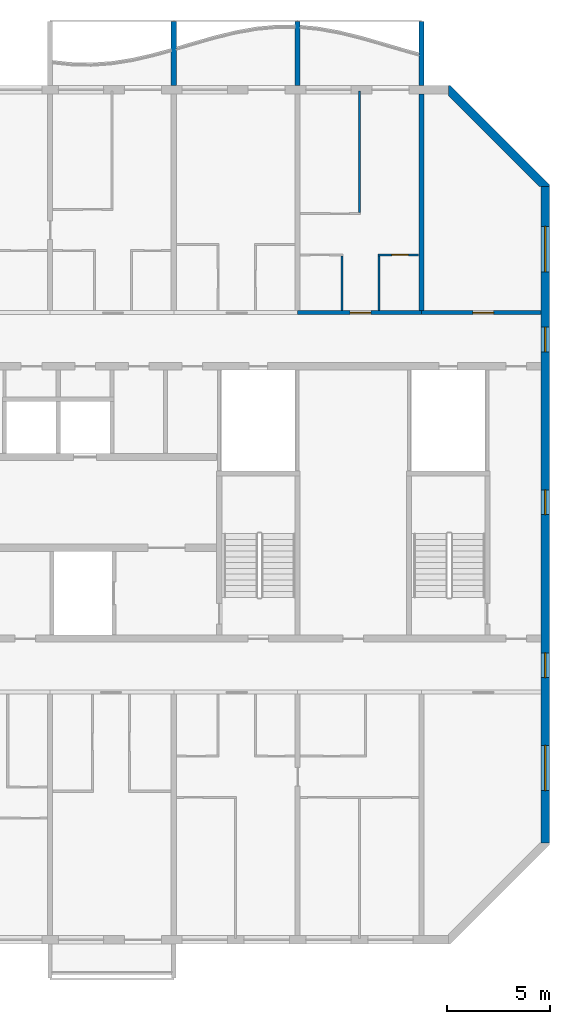
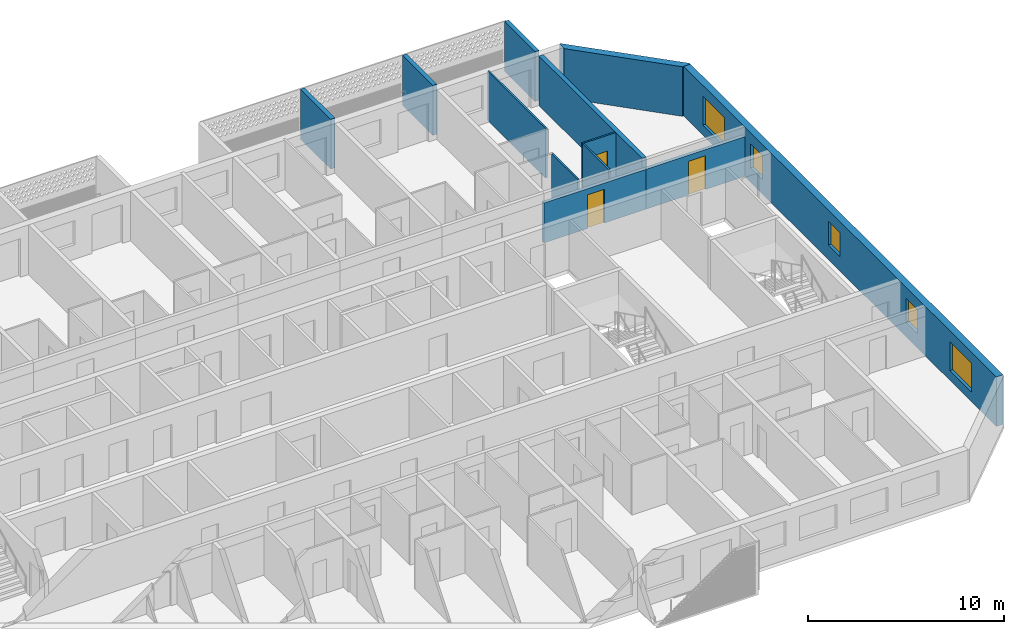
# One storey, part 11 of 29: 12 walls, 5 windows, 3 doors, 8 openings.
"""IFC4 building model written with IfcOpenShell, lengths in metres."""

from ifc_helpers import new_model, si_unit, direction, frame, frame_2d, origin, place, context, subcontext, project, spatial, polyline, rectangle, outline, extrude, source, transform, mapped, material, layer, layer_set, type_object, element, fill, save


model = new_model("IFC4")

# Units and contexts
model_context = context("Model", 3, precision=1e-05, world=origin(), true_north=direction((0.0, 1.0)))
body_context = subcontext(model_context, "Body", "Model", "MODEL_VIEW")
ifc_project = project(units=[si_unit("LENGTHUNIT", "METRE"), si_unit("AREAUNIT", "SQUARE_METRE"), si_unit("VOLUMEUNIT", "CUBIC_METRE"), si_unit("PLANEANGLEUNIT", "RADIAN"), si_unit("MASSUNIT", "GRAM", prefix="KILO")], contexts=[model_context])

# Site, building, storey
site_placement = place(None, origin())
site = spatial("IfcSite", under=ifc_project, at=site_placement, CompositionType="ELEMENT")
building_placement = place(site_placement, origin())
building = spatial("IfcBuilding", under=site, at=building_placement, Name="Poui Terraces", CompositionType="ELEMENT")
storey_placement = place(building_placement, frame((0.0, 0.0, 231.300048828125)))
storey = spatial("IfcBuildingStorey", under=building, at=storey_placement, Name="L64", CompositionType="ELEMENT", Elevation=231.300048828125)

# Wall, opening, door
ifc_material_1 = material(Name="Concrete 50 MPa", Category="concrete")
ifc_layer_1 = layer(ifc_material_1, 0.199951171875)
ifc_layer_set_1 = layer_set([ifc_layer_1], Name="Concrete 50 MPa")
wall_type_1 = type_object("IfcWallType", Name="CORRIDOR WALL 200 50MPa", PredefinedType="SHEAR", material=ifc_layer_set_1)
wall_1_placement = place(storey_placement, frame((72.0, 30.39990234375, 0.0), z_axis=(0.0, 0.0, 1.0), x_axis=(1.0, 0.0, 0.0)))
wall_1 = element("IfcWall", 1, at=wall_1_placement, inside=storey, type_object=wall_type_1, Name="CORRIDOR WALL LINE E BAY 10", PredefinedType="SHEAR", context=body_context, shape_type="SweptSolid", body=[
    extrude(rectangle(XDim=6.0, YDim=0.199951171875, at=frame_2d((3.0, 0.0))), origin(), (0.0, 0.0, 1.0), 2.47998046875),
])
opening_1_placement = place(wall_1_placement, frame((2.550048828125, 0.0, 0.0)))
opening_1 = element("IfcOpeningElement", 2, at=opening_1_placement, cuts=wall_1, Name="Opening FD30S", PredefinedType="OPENING", context=body_context, shape_type="SweptSolid", body=[
    extrude(rectangle(XDim=1.0, YDim=2.10009765625, at=frame_2d((0.5, 1.050048828125))), frame((0.0, 0.10986328125, 0.0), z_axis=(0.0, -1.0, 0.0), x_axis=(1.0, 0.0, 0.0)), (0.0, 0.0, 1.0), 0.219970703125),
])
ifc_material_2 = material(Name="Steel fire door", Category="steel")
door_type_1 = type_object("IfcDoorType", Name="FLAT ENTRANCE DOOR 1000 X 2100", OperationType="NOTDEFINED", PredefinedType="DOOR", material=ifc_material_2)
door_1_placement = place(opening_1_placement, origin())
door_1 = element("IfcDoor", 3, at=door_1_placement, inside=storey, type_object=door_type_1, Name="FLAT ENTRANCE DOOR 060", OperationType="SINGLE_SWING_RIGHT", OverallHeight=2.10009765625, OverallWidth=1.0, PredefinedType="DOOR", context=body_context, shape_type="SweptSolid", body=[
    extrude(rectangle(XDim=1.0, YDim=2.10009765625, at=frame_2d((0.5, 1.050048828125))), frame((0.0, 0.02490234375, 0.0), z_axis=(0.0, -1.0, 0.0), x_axis=(1.0, 0.0, 0.0)), (0.0, 0.0, 1.0), 0.050048828125),
])
fill(opening_1, door_1)

wall_2_placement = place(storey_placement, frame((78.0, 30.39990234375, 0.0), z_axis=(0.0, 0.0, 1.0), x_axis=(1.0, 0.0, 0.0)))
wall_2 = element("IfcWall", 4, at=wall_2_placement, inside=storey, type_object=wall_type_1, Name="CORRIDOR WALL LINE E BAY 11", PredefinedType="SHEAR", context=body_context, shape_type="SweptSolid", body=[
    extrude(rectangle(XDim=5.800048828125, YDim=0.199951171875, at=frame_2d((2.89990234375, 0.0))), origin(), (0.0, 0.0, 1.0), 2.47998046875),
])
opening_2_placement = place(wall_2_placement, frame((2.5, 0.0, 0.0)))
opening_2 = element("IfcOpeningElement", 5, at=opening_2_placement, cuts=wall_2, Name="Opening D100", PredefinedType="OPENING", context=body_context, shape_type="SweptSolid", body=[
    extrude(rectangle(XDim=1.0, YDim=2.10009765625, at=frame_2d((0.5, 1.050048828125))), frame((0.0, 0.10986328125, 0.0), z_axis=(0.0, -1.0, 0.0), x_axis=(1.0, 0.0, 0.0)), (0.0, 0.0, 1.0), 0.219970703125),
])
ifc_material_3 = material(Name="Solid core timber door", Category="wood")
door_type_2 = type_object("IfcDoorType", Name="ACCESSIBLE INTERNAL DOOR 1000 X 2100", OperationType="NOTDEFINED", PredefinedType="DOOR", material=ifc_material_3)
door_2_placement = place(opening_2_placement, origin())
door_2 = element("IfcDoor", 6, at=door_2_placement, inside=storey, type_object=door_type_2, Name="ACCESSIBLE INTERNAL DOOR 062", OperationType="SINGLE_SWING_LEFT", OverallHeight=2.10009765625, OverallWidth=1.0, PredefinedType="DOOR", context=body_context, shape_type="SweptSolid", body=[
    extrude(rectangle(XDim=1.0, YDim=2.10009765625, at=frame_2d((0.5, 1.050048828125))), frame((0.0, 0.02490234375, 0.0), z_axis=(0.0, -1.0, 0.0), x_axis=(1.0, 0.0, 0.0)), (0.0, 0.0, 1.0), 0.050048828125),
])
fill(opening_2, door_2)

# Wall
ifc_layer_2 = layer(ifc_material_1, 0.25)
ifc_layer_set_2 = layer_set([ifc_layer_2], Name="Concrete 50 MPa")
wall_type_2 = type_object("IfcWallType", Name="CROSS WALL 250 50MPa", PredefinedType="SHEAR", material=ifc_layer_set_2)
wall_3_placement = place(storey_placement, frame((78.0, 30.5, 0.0), z_axis=(0.0, 0.0, 1.0), x_axis=(0.0, 1.0, 0.0)))
element("IfcWall", 7, at=wall_3_placement, inside=storey, type_object=wall_type_2, Name="CROSS WALL LINE 14 NORTH", PredefinedType="SHEAR", context=body_context, shape_type="SweptSolid", body=[
    extrude(rectangle(XDim=10.5, YDim=0.25, at=frame_2d((5.25, 0.0))), origin(), (0.0, 0.0, 1.0), 3.079833984375),
])

# Wall, openings, windows
ifc_layer_3 = layer(ifc_material_1, 0.39990234375)
ifc_layer_set_3 = layer_set([ifc_layer_3], Name="Concrete 50 MPa")
wall_type_3 = type_object("IfcWallType", Name="END WALL 400 50MPa", PredefinedType="SHEAR", material=ifc_layer_set_3)
wall_4_placement = place(storey_placement, frame((84.0, 4.682861328125, 0.0), z_axis=(0.0, 0.0, 1.0), x_axis=(0.0, 1.0, 0.0)))
wall_4 = element("IfcWall", 8, at=wall_4_placement, inside=storey, type_object=wall_type_3, Name="END WALL EAST", PredefinedType="SHEAR", context=body_context, shape_type="SweptSolid", body=[
    extrude(rectangle(XDim=31.834228515625, YDim=0.39990234375, at=frame_2d((15.9169921875, 0.0))), origin(), (0.0, 0.0, 1.0), 3.079833984375),
])
opening_3_placement = place(wall_4_placement, frame((23.817138671875, 0.0, 0.89990234375)))
opening_3 = element("IfcOpeningElement", 9, at=opening_3_placement, cuts=wall_4, Name="Opening W2", PredefinedType="OPENING", context=body_context, shape_type="SweptSolid", body=[
    extrude(rectangle(XDim=1.199951171875, YDim=1.5, at=frame_2d((0.60009765625, 0.75))), frame((0.0, 0.2099609375, 0.0), z_axis=(0.0, -1.0, 0.0), x_axis=(1.0, 0.0, 0.0)), (0.0, 0.0, 1.0), 0.419921875),
])
opening_4_placement = place(wall_4_placement, frame((8.01708984375, 0.0, 0.89990234375)))
opening_4 = element("IfcOpeningElement", 10, at=opening_4_placement, cuts=wall_4, Name="Opening W2", PredefinedType="OPENING", context=body_context, shape_type="SweptSolid", body=[
    extrude(rectangle(XDim=1.199951171875, YDim=1.5, at=frame_2d((0.60009765625, 0.75))), frame((0.0, 0.2099609375, 0.0), z_axis=(0.0, -1.0, 0.0), x_axis=(1.0, 0.0, 0.0)), (0.0, 0.0, 1.0), 0.419921875),
])
opening_5_placement = place(wall_4_placement, frame((27.693603515625, 0.0, 0.60009765625)))
opening_5 = element("IfcOpeningElement", 11, at=opening_5_placement, cuts=wall_4, Name="Opening W3", PredefinedType="OPENING", context=body_context, shape_type="SweptSolid", body=[
    extrude(rectangle(XDim=2.199951171875, YDim=1.800048828125, at=frame_2d((1.10009765625, 0.89990234375))), frame((0.0, 0.2099609375, 0.0), z_axis=(0.0, -1.0, 0.0), x_axis=(1.0, 0.0, 0.0)), (0.0, 0.0, 1.0), 0.419921875),
])
opening_6_placement = place(wall_4_placement, frame((2.541015625, 0.0, 0.60009765625)))
opening_6 = element("IfcOpeningElement", 12, at=opening_6_placement, cuts=wall_4, Name="Opening W3", PredefinedType="OPENING", context=body_context, shape_type="SweptSolid", body=[
    extrude(rectangle(XDim=2.199951171875, YDim=1.800048828125, at=frame_2d((1.10009765625, 0.89990234375))), frame((0.0, 0.2099609375, 0.0), z_axis=(0.0, -1.0, 0.0), x_axis=(1.0, 0.0, 0.0)), (0.0, 0.0, 1.0), 0.419921875),
])
opening_7_placement = place(wall_4_placement, frame((15.917236328125, 0.0, 0.89990234375)))
opening_7 = element("IfcOpeningElement", 13, at=opening_7_placement, cuts=wall_4, Name="Opening W2", PredefinedType="OPENING", context=body_context, shape_type="SweptSolid", body=[
    extrude(rectangle(XDim=1.199951171875, YDim=1.5, at=frame_2d((0.60009765625, 0.75))), frame((0.0, 0.2099609375, 0.0), z_axis=(0.0, -1.0, 0.0), x_axis=(1.0, 0.0, 0.0)), (0.0, 0.0, 1.0), 0.419921875),
])
ifc_material_4 = material(Name="Clear glass in aluminium frame", Category="aluminium")
window_type_1 = type_object("IfcWindowType", Name="WINDOW 1200X1500", PartitioningType="SINGLE_PANEL", PredefinedType="WINDOW", material=ifc_material_4)
window_1_placement = place(opening_3_placement, origin())
window_1 = element("IfcWindow", 14, at=window_1_placement, inside=storey, type_object=window_type_1, Name="W2 WINDOW", OverallHeight=1.5, OverallWidth=1.199951171875, PartitioningType="SINGLE_PANEL", PredefinedType="WINDOW", context=body_context, shape_type="SweptSolid", body=[
    extrude(rectangle(XDim=1.199951171875, YDim=1.5, at=frame_2d((0.60009765625, 0.75))), frame((0.0, 0.030029296875, 0.0), z_axis=(0.0, -1.0, 0.0), x_axis=(1.0, 0.0, 0.0)), (0.0, 0.0, 1.0), 0.06005859375),
])
fill(opening_3, window_1)
window_2_placement = place(opening_4_placement, origin())
window_2 = element("IfcWindow", 15, at=window_2_placement, inside=storey, type_object=window_type_1, Name="W2 WINDOW", OverallHeight=1.5, OverallWidth=1.199951171875, PartitioningType="SINGLE_PANEL", PredefinedType="WINDOW", context=body_context, shape_type="SweptSolid", body=[
    extrude(rectangle(XDim=1.199951171875, YDim=1.5, at=frame_2d((0.60009765625, 0.75))), frame((0.0, 0.030029296875, 0.0), z_axis=(0.0, -1.0, 0.0), x_axis=(1.0, 0.0, 0.0)), (0.0, 0.0, 1.0), 0.06005859375),
])
fill(opening_4, window_2)
window_3_placement = place(opening_7_placement, origin())
window_3 = element("IfcWindow", 16, at=window_3_placement, inside=storey, type_object=window_type_1, Name="W2 WINDOW", OverallHeight=1.5, OverallWidth=1.199951171875, PartitioningType="SINGLE_PANEL", PredefinedType="WINDOW", context=body_context, shape_type="SweptSolid", body=[
    extrude(rectangle(XDim=1.199951171875, YDim=1.5, at=frame_2d((0.60009765625, 0.75))), frame((0.0, 0.030029296875, 0.0), z_axis=(0.0, -1.0, 0.0), x_axis=(1.0, 0.0, 0.0)), (0.0, 0.0, 1.0), 0.06005859375),
])
fill(opening_7, window_3)
window_type_2 = type_object("IfcWindowType", Name="WINDOW 2200X1800", PartitioningType="DOUBLE_PANEL_HORIZONTAL", PredefinedType="WINDOW", material=ifc_material_4)
window_4_placement = place(opening_5_placement, origin())
window_4 = element("IfcWindow", 17, at=window_4_placement, inside=storey, type_object=window_type_2, Name="W3 WINDOW", OverallHeight=1.800048828125, OverallWidth=2.199951171875, PartitioningType="DOUBLE_PANEL_HORIZONTAL", PredefinedType="WINDOW", context=body_context, shape_type="SweptSolid", body=[
    extrude(rectangle(XDim=2.199951171875, YDim=1.800048828125, at=frame_2d((1.10009765625, 0.89990234375))), frame((0.0, 0.030029296875, 0.0), z_axis=(0.0, -1.0, 0.0), x_axis=(1.0, 0.0, 0.0)), (0.0, 0.0, 1.0), 0.06005859375),
])
fill(opening_5, window_4)
window_5_placement = place(opening_6_placement, origin())
window_5 = element("IfcWindow", 18, at=window_5_placement, inside=storey, type_object=window_type_2, Name="W3 WINDOW", OverallHeight=1.800048828125, OverallWidth=2.199951171875, PartitioningType="DOUBLE_PANEL_HORIZONTAL", PredefinedType="WINDOW", context=body_context, shape_type="SweptSolid", body=[
    extrude(rectangle(XDim=2.199951171875, YDim=1.800048828125, at=frame_2d((1.10009765625, 0.89990234375))), frame((0.0, 0.030029296875, 0.0), z_axis=(0.0, -1.0, 0.0), x_axis=(1.0, 0.0, 0.0)), (0.0, 0.0, 1.0), 0.06005859375),
])
fill(opening_6, window_5)

# Wall, opening, door
ifc_material_5 = material(Name="Plasterboard partition")
ifc_layer_4 = layer(ifc_material_5, 0.10009765625)
ifc_layer_set_4 = layer_set([ifc_layer_4], Name="Plasterboard partition")
wall_type_4 = type_object("IfcWallType", Name="FLAT PARTITION 100", PredefinedType="PARTITIONING", material=ifc_layer_set_4)
wall_5_placement = place(storey_placement, frame((75.89990234375, 33.199951171875, 0.0), z_axis=(0.0, 0.0, 1.0), x_axis=(1.0, 0.0, 0.0)))
wall_5 = element("IfcWall", 19, at=wall_5_placement, inside=storey, type_object=wall_type_4, Name="FLAT PARTITION 100", PredefinedType="PARTITIONING", context=body_context, shape_type="SweptSolid", body=[
    extrude(rectangle(XDim=1.965087890625, YDim=0.10009765625, at=frame_2d((0.982421875, 0.0))), origin(), (0.0, 0.0, 1.0), 3.079833984375),
])
opening_8_placement = place(wall_5_placement, frame((0.675048828125, 0.0, 0.0)))
opening_8 = element("IfcOpeningElement", 20, at=opening_8_placement, cuts=wall_5, Name="Opening D80", PredefinedType="OPENING", context=body_context, shape_type="SweptSolid", body=[
    extrude(rectangle(XDim=0.800048828125, YDim=2.10009765625, at=frame_2d((0.39990234375, 1.050048828125))), frame((0.0, 0.06005859375, 0.0), z_axis=(0.0, -1.0, 0.0), x_axis=(1.0, 0.0, 0.0)), (0.0, 0.0, 1.0), 0.1201171875),
])
door_type_3 = type_object("IfcDoorType", Name="BATHROOM, LAUNDRY AND STORE DOOR 800 X 2100", OperationType="NOTDEFINED", PredefinedType="DOOR", material=ifc_material_3)
door_3_placement = place(opening_8_placement, frame((0.800048828125, 0.0, 0.0), z_axis=(0.0, 0.0, 1.0), x_axis=(-1.0, 0.0, 0.0)))
door_3 = element("IfcDoor", 21, at=door_3_placement, inside=storey, type_object=door_type_3, Name="BATHROOM, LAUNDRY AND STORE DOOR 061", OperationType="SINGLE_SWING_RIGHT", OverallHeight=2.10009765625, OverallWidth=0.800048828125, PredefinedType="DOOR", context=body_context, shape_type="SweptSolid", body=[
    extrude(rectangle(XDim=0.800048828125, YDim=2.10009765625, at=frame_2d((0.39990234375, 1.050048828125))), frame((0.0, 0.02490234375, 0.0), z_axis=(0.0, -1.0, 0.0), x_axis=(1.0, 0.0, 0.0)), (0.0, 0.0, 1.0), 0.050048828125),
])
fill(opening_8, door_3)

# Walls
wall_6_placement = place(storey_placement, frame((74.14990234375, 30.510009765625, 0.0), z_axis=(0.0, 0.0, 1.0), x_axis=(0.0, 1.0, 0.0)))
element("IfcWall", 22, at=wall_6_placement, inside=storey, type_object=wall_type_4, Name="FLAT PARTITION 100", PredefinedType="PARTITIONING", context=body_context, shape_type="SweptSolid", body=[
    extrude(rectangle(XDim=2.639892578125, YDim=0.10009765625, at=frame_2d((1.31982421875, 0.0))), origin(), (0.0, 0.0, 1.0), 3.079833984375),
])
wall_7_placement = place(storey_placement, frame((75.0, 35.25, 0.0), z_axis=(0.0, 0.0, 1.0), x_axis=(0.0, 1.0, 0.0)))
element("IfcWall", 23, at=wall_7_placement, inside=storey, type_object=wall_type_4, Name="FLAT PARTITION 100", PredefinedType="PARTITIONING", context=body_context, shape_type="SweptSolid", body=[
    extrude(rectangle(XDim=5.889892578125, YDim=0.10009765625, at=frame_2d((2.94482421875, 0.0))), origin(), (0.0, 0.0, 1.0), 3.079833984375),
])
wall_8_placement = place(storey_placement, frame((75.949951171875, 30.510009765625, 0.0), z_axis=(0.0, 0.0, 1.0), x_axis=(0.0, 1.0, 0.0)))
element("IfcWall", 24, at=wall_8_placement, inside=storey, type_object=wall_type_4, Name="FLAT PARTITION 100", PredefinedType="PARTITIONING", context=body_context, shape_type="SweptSolid", body=[
    extrude(rectangle(XDim=2.639892578125, YDim=0.10009765625, at=frame_2d((1.31982421875, 0.0))), origin(), (0.0, 0.0, 1.0), 3.079833984375),
])
ifc_material_6 = material(Name="Precast concrete 40 MPa", Category="concrete")
ifc_layer_5 = layer(ifc_material_6, 0.39990234375)
ifc_layer_set_5 = layer_set([ifc_layer_5], Name="Precast concrete 40 MPa")
wall_type_5 = type_object("IfcWallType", Name="TERRACOTTA CLAD CHAMFER WALL 400", PredefinedType="STANDARD", material=ifc_layer_set_5)
wall_9_placement = place(storey_placement, origin())
element("IfcWall", 25, at=wall_9_placement, inside=storey, type_object=wall_type_5, Name="CHAMFER WALL CH03", PredefinedType="STANDARD", context=body_context, shape_type="SweptSolid", body=[
    extrude(outline(polyline([(84.199951171875, 36.51708984375), (84.199951171875, 36.60009765625), (79.39990234375, 41.39990234375), (79.317138671875, 41.39990234375), (79.317138671875, 40.917236328125), (83.71728515625, 36.51708984375), (84.199951171875, 36.51708984375)])), origin(), (0.0, 0.0, 1.0), 3.079833984375),
])
ifc_layer_6 = layer(ifc_material_6, 0.25)
ifc_layer_set_6 = layer_set([ifc_layer_6], Name="Precast concrete 40 MPa")
wall_type_6 = type_object("IfcWallType", Name="BALCONY FIN 250", PredefinedType="STANDARD", material=ifc_layer_set_6)
shared_shape = source(origin(), body_context, "Body", "SweptSolid", [
    extrude(outline(polyline([(0.0, 0.0), (0.25, 0.0), (0.25, 3.10009765625), (0.0, 3.10009765625), (0.0, 0.0)])), origin(), (0.0, 0.0, 1.0), 3.099853515625),
])
for number, where, name in (
    (26, (65.875, 41.39990234375, 0.0), "BALCONY FIN"),
    (27, (71.875, 41.39990234375, 0.0), "BALCONY FIN"),
    (28, (77.875, 41.39990234375, 0.0), "BALCONY FIN"),
):
    element("IfcWall", number, at=place(storey_placement, frame(where)), inside=storey, type_object=wall_type_6, Name=name, PredefinedType="STANDARD", context=body_context, shape_type="MappedRepresentation", body=[
        mapped(shared_shape, transform((0.0, 0.0, 0.0))),
    ])

save(model, "model.ifc")
